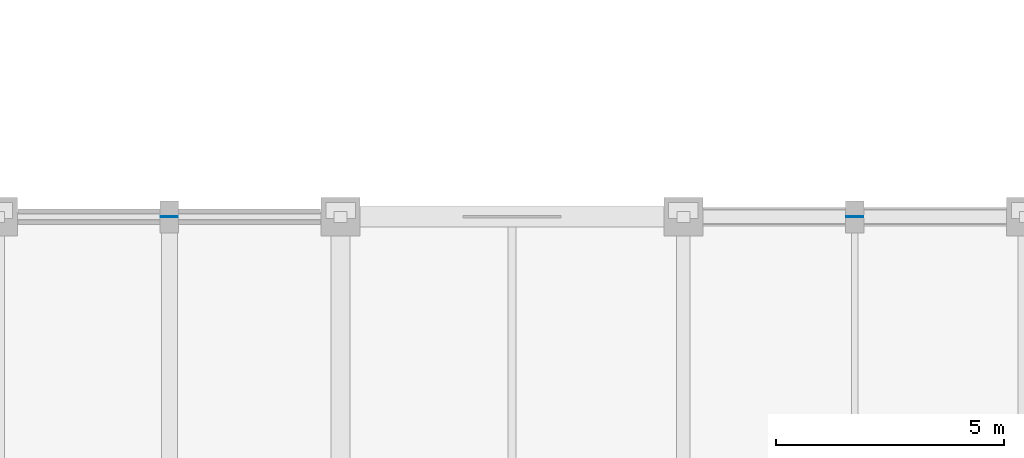
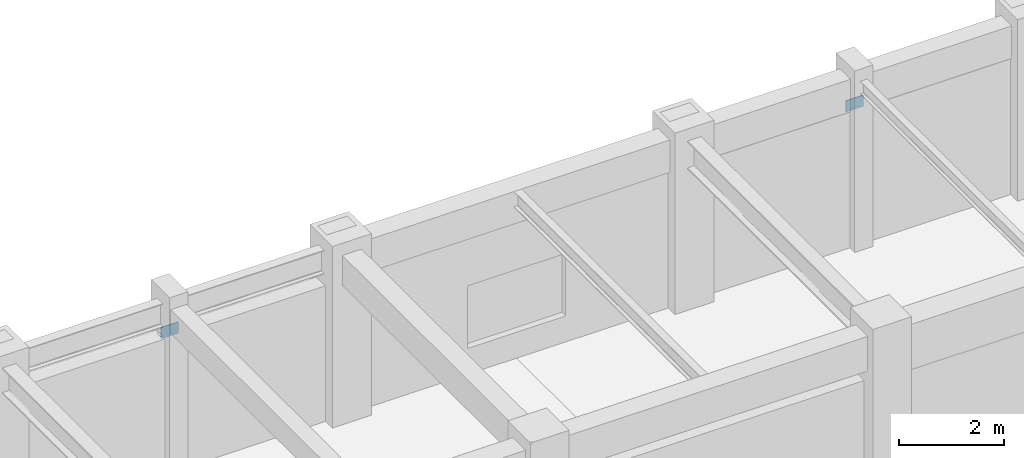
# One storey, part 96 of 132: 2 plates.
"""IFC4 building model written with IfcOpenShell, lengths in metres."""

import ifcopenshell
import ifcopenshell.guid

model = None  # the IFC model being written
_history = None  # IfcOwnerHistory: only IFC2X3 demands one
_inside = {}  # id of a spatial element -> (the spatial element, [elements in it])
_under = {}  # id of a project, library or spatial element -> (it, [spatial elements below it])
_declared = {}  # id of a project -> (the project, [libraries it declares])
_typed = {}  # id of a type object -> (the type object, [elements of that type])
_made_of = {}  # id of a material, layer set ... -> (it, [elements and type objects made of it])


def new_model(schema):
    """Start an empty IFC model of exactly this schema.

    Asked for "IFC4X3", IfcOpenShell would pick the latest addendum, in which some entities
    have other attributes; the version numbers below select the first issue.
    IFC2X3 requires an IfcOwnerHistory on every rooted entity: one is made here for all.
    """
    global model, _history
    if schema == "IFC4X3":
        model = ifcopenshell.file(schema_version=(4, 3, 0, 0))
    else:
        model = ifcopenshell.file(schema=schema)
    _inside.clear()
    _under.clear()
    _declared.clear()
    _typed.clear()
    _made_of.clear()
    _history = None
    if model.schema == "IFC2X3":
        org = make("IfcOrganization", Name="unknown")
        user = make(
            "IfcPersonAndOrganization",
            ThePerson=make("IfcPerson", FamilyName="unknown"),
            TheOrganization=org,
        )
        app = make(
            "IfcApplication",
            ApplicationDeveloper=org,
            Version="unknown",
            ApplicationFullName="unknown",
            ApplicationIdentifier="unknown",
        )
        _history = make(
            "IfcOwnerHistory",
            OwningUser=user,
            OwningApplication=app,
            ChangeAction="ADDED",
            CreationDate=0,
        )
    return model


def make(cls, **values):
    """One entity of the class cls with the attributes given. An attribute that is None is left unset."""
    return model.create_entity(
        cls, **{name: value for name, value in values.items() if value is not None}
    )


def rooted(cls, **values):
    """An entity with a GlobalId (a new one), such as an element, a storey or a relation."""
    return make(cls, GlobalId=ifcopenshell.guid.new(), OwnerHistory=_history, **values)


def si_unit(unit_type, name, prefix=None):
    """IfcSIUnit, for example si_unit("LENGTHUNIT", "METRE", prefix="MILLI")."""
    return make("IfcSIUnit", UnitType=unit_type, Prefix=prefix, Name=name)


def assignment(units):
    """IfcUnitAssignment: the units of a project."""
    return None if units is None else make("IfcUnitAssignment", Units=units)


def point(xyz):
    """IfcCartesianPoint."""
    return None if xyz is None else make("IfcCartesianPoint", Coordinates=xyz)


def direction(xyz):
    """IfcDirection."""
    return None if xyz is None else make("IfcDirection", DirectionRatios=xyz)


def frame(location, z_axis=None, x_axis=None):
    """IfcAxis2Placement3D, a coordinate frame: its origin and axes. An axis left out is left unset."""
    return make(
        "IfcAxis2Placement3D",
        Location=point(location),
        Axis=direction(z_axis),
        RefDirection=direction(x_axis),
    )


def frame_2d(location, x_axis=None):
    """IfcAxis2Placement2D, a coordinate frame in the plane: its origin and x axis."""
    return make(
        "IfcAxis2Placement2D", Location=point(location), RefDirection=direction(x_axis)
    )


def origin():
    """The frame at (0, 0, 0) with its axes left unset."""
    return frame((0.0, 0.0, 0.0))


def origin_2d():
    """The frame at (0, 0) in the plane with its x axis left unset."""
    return frame_2d((0.0, 0.0))


def place(relative_to, where):
    """IfcLocalPlacement: puts the frame where relative to a parent placement (None: the world)."""
    return make(
        "IfcLocalPlacement", PlacementRelTo=relative_to, RelativePlacement=where
    )


def context(
    kind, dimensions, precision=None, world=None, true_north=None, identifier=None
):
    """IfcGeometricRepresentationContext, for example the 3D "Model" context."""
    return make(
        "IfcGeometricRepresentationContext",
        ContextIdentifier=identifier,
        ContextType=kind,
        CoordinateSpaceDimension=dimensions,
        Precision=precision,
        WorldCoordinateSystem=world,
        TrueNorth=true_north,
    )


def subcontext(parent, identifier, kind, view, scale=None):
    """IfcGeometricRepresentationSubContext, for example "Body" below "Model"."""
    return make(
        "IfcGeometricRepresentationSubContext",
        ContextIdentifier=identifier,
        ContextType=kind,
        ParentContext=parent,
        TargetScale=scale,
        TargetView=view,
    )


def project(units=None, contexts=None):
    """IfcProject with its units and contexts."""
    return rooted(
        "IfcProject",
        Name="project",
        RepresentationContexts=contexts,
        UnitsInContext=assignment(units),
    )


def spatial(cls, under=None, at=None, **own):
    """A site, building, storey or space (cls), placed at a placement, below another one or the project."""
    s = rooted(cls, ObjectPlacement=at, **own)
    if under is not None:
        _under.setdefault(under.id(), (under, []))[1].append(s)
    return s


def profile(cls, at=None, kind="AREA", **sizes):
    """A parametric profile (cls). Its sizes go by their IFC names, for example OverallWidth=200.0."""
    return make(cls, ProfileType=kind, Position=at, **sizes)


def rectangle(**sizes):
    """IfcRectangleProfileDef."""
    return profile("IfcRectangleProfileDef", **sizes)


def extrude(swept, where, along, depth):
    """IfcExtrudedAreaSolid: the profile swept, set in the frame where, extruded along a direction by depth."""
    return make(
        "IfcExtrudedAreaSolid",
        SweptArea=swept,
        Position=where,
        ExtrudedDirection=direction(along),
        Depth=depth,
    )


def shape(context_of_items, identifier, shape_type, items):
    """IfcShapeRepresentation: the items that make up one representation, for example the "Body"."""
    return make(
        "IfcShapeRepresentation",
        ContextOfItems=context_of_items,
        RepresentationIdentifier=identifier,
        RepresentationType=shape_type,
        Items=items,
    )


def material(Name=None, Category=None):
    """IfcMaterial."""
    return make("IfcMaterial", Name=Name, Category=Category)


def layer(
    of_material, thickness, ventilated=None, Name=None, Category=None, Priority=None
):
    """IfcMaterialLayer: one layer of a wall or slab, of a material (None: an air gap)."""
    return make(
        "IfcMaterialLayer",
        Material=of_material,
        LayerThickness=thickness,
        IsVentilated=ventilated,
        Name=Name,
        Category=Category,
        Priority=Priority,
    )


def layer_set(layers, Name=None):
    """IfcMaterialLayerSet."""
    return make("IfcMaterialLayerSet", MaterialLayers=layers, LayerSetName=Name)


def made_of(thing, what):
    """Note that an element or type object is made of a material, layer set ...; save() writes the relation."""
    if what is not None:
        _made_of.setdefault(what.id(), (what, []))[1].append(thing)
    return thing


def type_object(cls, material=None, **own):
    """A type object (cls), such as IfcWallType, which elements share."""
    return made_of(rooted(cls, **own), material)


def element(
    cls,
    number,
    at=None,
    inside=None,
    cuts=None,
    type_object=None,
    material=None,
    context=None,
    identifier="Body",
    shape_type=None,
    held_by="IfcProductDefinitionShape",
    body=None,
    shapes=None,
    **own,
):
    """One element of the class cls, such as IfcWall. Its Tag is "e" and its number.

    at: its placement. inside: the storey or other place that contains it. cuts: it is an
    opening in that element (IfcRelVoidsElement). A single representation is given by context,
    identifier, shape_type and body (its items); several are given by shapes. held_by: the class
    of the entity that holds the representations. save() writes the other relations.
    """
    e = rooted(cls, Tag="e%d" % number, ObjectPlacement=at, **own)
    if body is not None:
        shapes = [shape(context, identifier, shape_type, body)]
    if shapes is not None:
        e.Representation = make(held_by, Representations=shapes)
    if inside is not None:
        _inside.setdefault(inside.id(), (inside, []))[1].append(e)
    if cuts is not None:
        rooted(
            "IfcRelVoidsElement", RelatingBuildingElement=cuts, RelatedOpeningElement=e
        )
    if type_object is not None:
        _typed.setdefault(type_object.id(), (type_object, []))[1].append(e)
    return made_of(e, material)


def aggregate(whole, parts):
    """IfcRelAggregates: a whole, such as a stair, and the parts it consists of."""
    return rooted("IfcRelAggregates", RelatingObject=whole, RelatedObjects=parts)


def save(model, path):
    """Write the relations noted so far, then the file.

    IfcRelAggregates (storeys below a building ...), IfcRelContainedInSpatialStructure (elements
    in a storey), IfcRelDefinesByType, IfcRelAssociatesMaterial and IfcRelDeclares: one each for
    every whole, place, type object, material and project.
    """
    for whole, parts in _under.values():
        aggregate(whole, parts)
    for where, things in _inside.values():
        rooted(
            "IfcRelContainedInSpatialStructure",
            RelatedElements=things,
            RelatingStructure=where,
        )
    for kind, things in _typed.values():
        rooted("IfcRelDefinesByType", RelatedObjects=things, RelatingType=kind)
    for what, things in _made_of.values():
        rooted("IfcRelAssociatesMaterial", RelatedObjects=things, RelatingMaterial=what)
    for by, libraries in _declared.values():
        rooted("IfcRelDeclares", RelatingContext=by, RelatedDefinitions=libraries)
    model.write(path)


model = new_model("IFC4")

# Units and contexts
model_context = context("Model", 3, precision=1e-05, world=origin(), true_north=direction((0.0, 1.0)))
body_context = subcontext(model_context, "Body", "Model", "MODEL_VIEW")
ifc_project = project(units=[si_unit("LENGTHUNIT", "METRE"), si_unit("AREAUNIT", "SQUARE_METRE"), si_unit("VOLUMEUNIT", "CUBIC_METRE"), si_unit("PLANEANGLEUNIT", "RADIAN"), si_unit("MASSUNIT", "GRAM", prefix="KILO")], contexts=[model_context])

# Site, building, storey
site_placement = place(None, origin())
site = spatial("IfcSite", under=ifc_project, at=site_placement, CompositionType="ELEMENT")
building_placement = place(site_placement, origin())
building = spatial("IfcBuilding", under=site, at=building_placement, Name="Qasida Concert Hall", CompositionType="ELEMENT")
storey_placement = place(building_placement, frame((0.0, 0.0, 4.800048828125)))
storey = spatial("IfcBuildingStorey", under=building, at=storey_placement, Name="L01", CompositionType="ELEMENT", Elevation=4.800048828125)

# Plates
ifc_material = material(Name="Steel S355J2", Category="steel")
ifc_layer = layer(ifc_material, 0.01611328125, Name="Steel S355J2")
ifc_layer_set = layer_set([ifc_layer], Name="Steel S355J2")
plate_type = type_object("IfcPlateType", Name="PLT-PL-EC3", PredefinedType="SHEET", material=ifc_layer_set)
for number, where, z_axis, x_axis, name in (
    (1, (71.25, 82.5, 3.0400390625), (0.0, 0.0, 1.0), (1.0, 0.0, 0.0), "Chevron apex plate CBF-0084"),
    (2, (86.25, 82.5, 3.0400390625), (0.0, 0.0, 1.0), (1.0, 0.0, 0.0), "Chevron apex plate CBF-0090"),
):
    element("IfcPlate", number, at=place(storey_placement, frame(where, z_axis=z_axis, x_axis=x_axis)), inside=storey, type_object=plate_type, Name=name, PredefinedType="SHEET", context=body_context, shape_type="SweptSolid", body=[
        extrude(rectangle(XDim=0.3798828125, YDim=0.01611328125, at=origin_2d()), origin(), (0.0, 0.0, 1.0), 0.260009765625),
    ])

save(model, "model.ifc")
